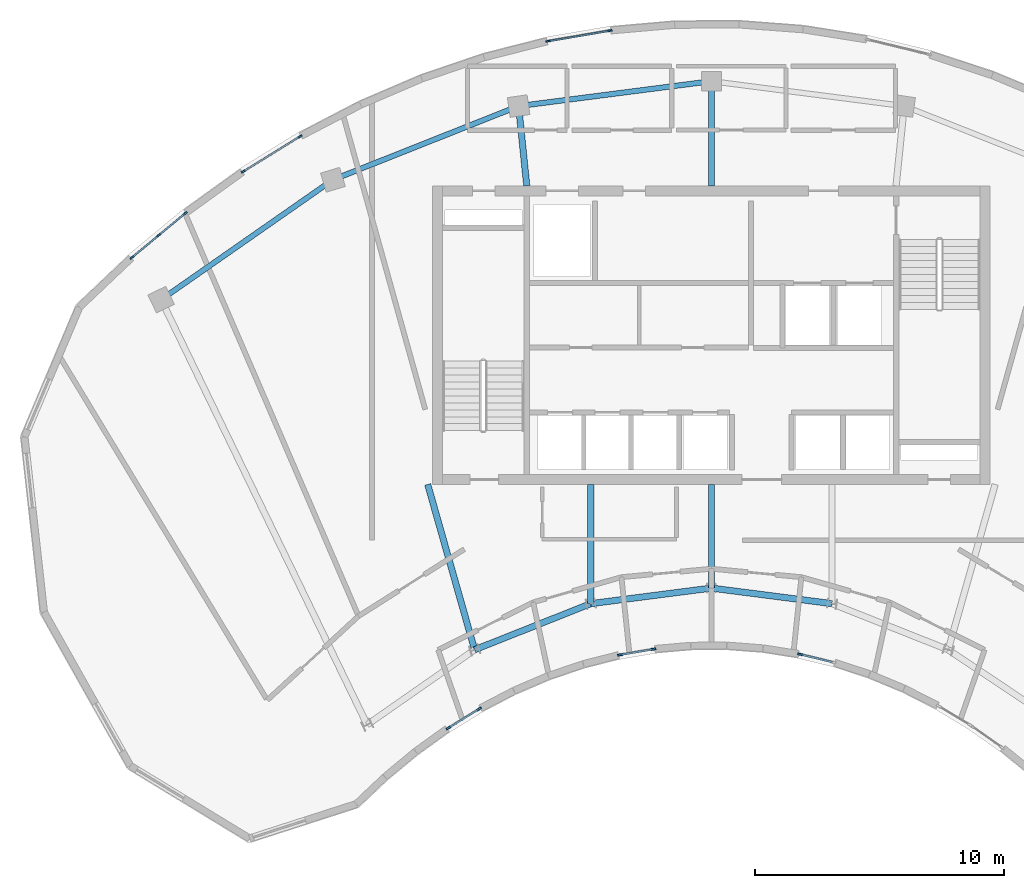
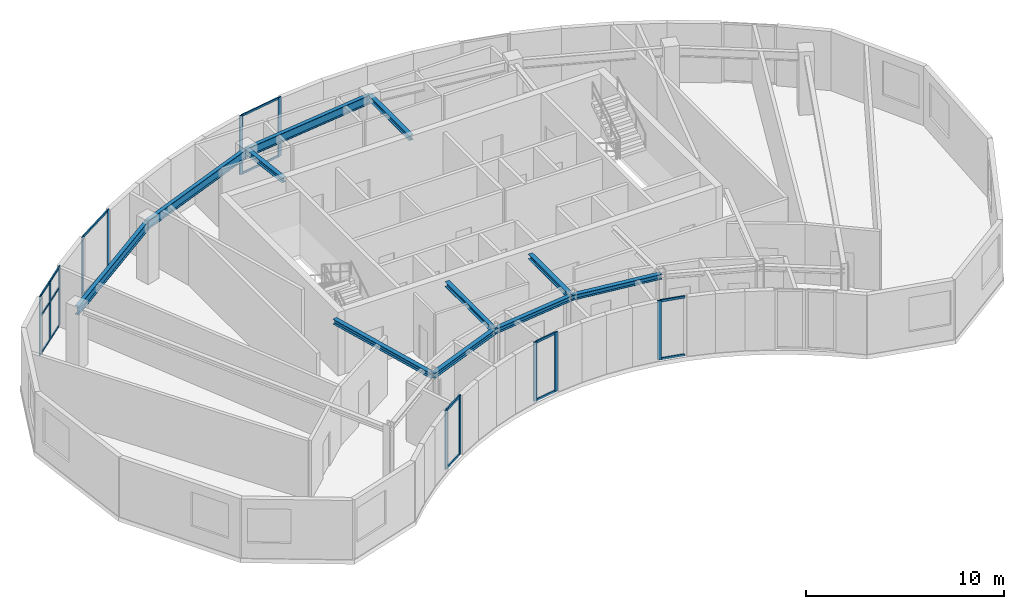
# One storey, part 2 of 9: 28 members, 11 beams, 6 elements without a shape of their own.
"""IFC4 building model written with IfcOpenShell, lengths in metres."""

from ifc_helpers import new_model, si_unit, direction, frame, origin, origin_2d, place, context, subcontext, project, spatial, rectangle, i_section, extrude, source, transform, mapped, material, layer, layer_set, material_profile, profile_set, type_object, element, aggregate, save


model = new_model("IFC4")

# Units and contexts
model_context = context("Model", 3, precision=1e-05, world=origin(), true_north=direction((0.0, 1.0)))
body_context = subcontext(model_context, "Body", "Model", "MODEL_VIEW")
ifc_project = project(units=[si_unit("LENGTHUNIT", "METRE"), si_unit("AREAUNIT", "SQUARE_METRE"), si_unit("VOLUMEUNIT", "CUBIC_METRE"), si_unit("PLANEANGLEUNIT", "RADIAN"), si_unit("MASSUNIT", "GRAM", prefix="KILO")], contexts=[model_context])

# Site, building, storey
site_placement = place(None, origin())
site = spatial("IfcSite", under=ifc_project, at=site_placement, CompositionType="ELEMENT")
building_placement = place(site_placement, origin())
building = spatial("IfcBuilding", under=site, at=building_placement, Name="Breltana Convention Tower", CompositionType="ELEMENT")
storey_placement = place(building_placement, frame((0.0, 0.0, 283.5)))
storey = spatial("IfcBuildingStorey", under=building, at=storey_placement, Name="L69", CompositionType="ELEMENT", Elevation=283.5)

# Beams
ifc_material_1 = material(Name="Steel ASTM A992 Grade 50", Category="steel")
ifc_material_profile_1 = material_profile(ifc_material_1, i_section(OverallWidth=0.214111328125, OverallDepth=0.549072265625, WebThickness=0.0146484375, FlangeThickness=0.023681640625, at=origin_2d()), Name="W21X93")
ifc_profile_set_1 = profile_set([ifc_material_profile_1], Name="Steel ASTM A992 Grade 50")
beam_type_1 = type_object("IfcBeamType", Name="BM-SP-W21X93", PredefinedType="SPANDREL", material=ifc_profile_set_1)
shared_shape_1 = source(origin(), body_context, "Body", "SweptSolid", [
    extrude(i_section(OverallWidth=0.214111328125, OverallDepth=0.549072265625, WebThickness=0.0146484375, FlangeThickness=0.023681640625, at=origin_2d()), origin(), (0.0, 0.0, 1.0), 8.4169921875),
])
beam_1_placement = place(storey_placement, frame((25.8876953125, 67.626953125, 3.365478515625), z_axis=(0.820173800102, 0.572114444519, 0.0), x_axis=(-0.572114444519, 0.820173800102, 0.0)))
element("IfcBeam", 1, at=beam_1_placement, inside=storey, type_object=beam_type_1, Name="L69 Outer Spandrel Beam 03", PredefinedType="SPANDREL", context=body_context, shape_type="MappedRepresentation", body=[
    mapped(shared_shape_1, transform((0.0, 0.0, 0.0), scale=1.0)),
])
shared_shape_2 = source(origin(), body_context, "Body", "SweptSolid", [
    extrude(i_section(OverallWidth=0.214111328125, OverallDepth=0.549072265625, WebThickness=0.0146484375, FlangeThickness=0.023681640625, at=origin_2d()), origin(), (0.0, 0.0, 1.0), 8.028564453125),
])
beam_2_placement = place(storey_placement, frame((32.791015625, 72.4423828125, 3.365478515625), z_axis=(0.929459100394, 0.368925169507, 0.0), x_axis=(-0.368925169507, 0.929459100394, 0.0)))
element("IfcBeam", 2, at=beam_2_placement, inside=storey, type_object=beam_type_1, Name="L69 Outer Spandrel Beam 04", PredefinedType="SPANDREL", context=body_context, shape_type="MappedRepresentation", body=[
    mapped(shared_shape_2, transform((0.0, 0.0, 0.0), scale=1.0)),
])
shared_shape_3 = source(origin(), body_context, "Body", "SweptSolid", [
    extrude(i_section(OverallWidth=0.214111328125, OverallDepth=0.549072265625, WebThickness=0.0146484375, FlangeThickness=0.023681640625, at=origin_2d()), origin(), (0.0, 0.0, 1.0), 7.81103515625),
])
beam_3_placement = place(storey_placement, frame((40.253173828125, 75.404296875, 3.365478515625), z_axis=(0.991775179127, 0.127992164083, 0.0), x_axis=(-0.127992164083, 0.991775179127, 0.0)))
element("IfcBeam", 3, at=beam_3_placement, inside=storey, type_object=beam_type_1, Name="L69 Outer Spandrel Beam 05", PredefinedType="SPANDREL", context=body_context, shape_type="MappedRepresentation", body=[
    mapped(shared_shape_3, transform((0.0, 0.0, 0.0), scale=1.0)),
])
ifc_material_profile_2 = material_profile(ifc_material_1, i_section(OverallWidth=0.25390625, OverallDepth=0.305908203125, WebThickness=0.0087890625, FlangeThickness=0.0146484375, at=origin_2d()), Name="W12X53")
ifc_profile_set_2 = profile_set([ifc_material_profile_2], Name="Steel ASTM A992 Grade 50")
beam_type_2 = type_object("IfcBeamType", Name="BM-CN-W12X53", PredefinedType="BEAM", material=ifc_profile_set_2)
shared_shape_4 = source(origin(), body_context, "Body", "SweptSolid", [
    extrude(i_section(OverallWidth=0.25390625, OverallDepth=0.305908203125, WebThickness=0.0087890625, FlangeThickness=0.0146484375, at=origin_2d()), origin(), (0.0, 0.0, 1.0), 6.904541015625),
])
beam_4_placement = place(storey_placement, frame((36.60009765625, 60.199951171875, 3.487060546875), z_axis=(0.273006781054, -0.962012108811, 0.0), x_axis=(0.962012108811, 0.273006781054, 0.0)))
element("IfcBeam", 4, at=beam_4_placement, inside=storey, type_object=beam_type_2, Name="L69 South Core Tie Girder R04", PredefinedType="BEAM", context=body_context, shape_type="MappedRepresentation", body=[
    mapped(shared_shape_4, transform((0.0, 0.0, 0.0), scale=1.0)),
])
shared_shape_5 = source(origin(), body_context, "Body", "SweptSolid", [
    extrude(i_section(OverallWidth=0.25390625, OverallDepth=0.305908203125, WebThickness=0.0087890625, FlangeThickness=0.0146484375, at=origin_2d()), origin(), (0.0, 0.0, 1.0), 4.789306640625),
])
beam_5_placement = place(storey_placement, frame((43.153564453125, 60.199951171875, 3.487060546875), z_axis=(0.0, -1.0, 0.0), x_axis=(1.0, 0.0, 0.0)))
element("IfcBeam", 5, at=beam_5_placement, inside=storey, type_object=beam_type_2, Name="L69 South Core Tie Girder R05", PredefinedType="BEAM", context=body_context, shape_type="MappedRepresentation", body=[
    mapped(shared_shape_5, transform((0.0, 0.0, 0.0), scale=1.0)),
])
shared_shape_6 = source(origin(), body_context, "Body", "SweptSolid", [
    extrude(i_section(OverallWidth=0.25390625, OverallDepth=0.305908203125, WebThickness=0.0087890625, FlangeThickness=0.0146484375, at=origin_2d()), origin(), (0.0, 0.0, 1.0), 3.220947265625),
])
beam_6_placement = place(storey_placement, frame((40.580078125, 72.199951171875, 3.487060546875), z_axis=(-0.101492254858, 0.994836329355, 0.0), x_axis=(-0.994836329355, -0.101492254858, 0.0)))
element("IfcBeam", 6, at=beam_6_placement, inside=storey, type_object=beam_type_2, Name="L69 North Core Radial Girder R05", PredefinedType="BEAM", context=body_context, shape_type="MappedRepresentation", body=[
    mapped(shared_shape_6, transform((0.0, 0.0, 0.0), scale=1.0)),
])
shared_shape_7 = source(origin(), body_context, "Body", "SweptSolid", [
    extrude(i_section(OverallWidth=0.25390625, OverallDepth=0.305908203125, WebThickness=0.0087890625, FlangeThickness=0.0146484375, at=origin_2d()), origin(), (0.0, 0.0, 1.0), 4.1640625),
])
beam_7_placement = place(storey_placement, frame((48.0, 60.199951171875, 3.487060546875), z_axis=(0.0, -1.0, 0.0), x_axis=(1.0, 0.0, 0.0)))
element("IfcBeam", 7, at=beam_7_placement, inside=storey, type_object=beam_type_2, Name="L69 South Core Tie Girder R06", PredefinedType="BEAM", context=body_context, shape_type="MappedRepresentation", body=[
    mapped(shared_shape_7, transform((0.0, 0.0, 0.0), scale=1.0)),
])
shared_shape_8 = source(origin(), body_context, "Body", "SweptSolid", [
    extrude(i_section(OverallWidth=0.25390625, OverallDepth=0.305908203125, WebThickness=0.0087890625, FlangeThickness=0.0146484375, at=origin_2d()), origin(), (0.0, 0.0, 1.0), 4.2041015625),
])
beam_8_placement = place(storey_placement, frame((48.0, 72.199951171875, 3.487060546875), z_axis=(0.0, 1.0, 0.0), x_axis=(-1.0, 0.0, 0.0)))
element("IfcBeam", 8, at=beam_8_placement, inside=storey, type_object=beam_type_2, Name="L69 North Core Radial Girder R06", PredefinedType="BEAM", context=body_context, shape_type="MappedRepresentation", body=[
    mapped(shared_shape_8, transform((0.0, 0.0, 0.0), scale=1.0)),
])
shared_shape_9 = source(origin(), body_context, "Body", "SweptSolid", [
    extrude(i_section(OverallWidth=0.25390625, OverallDepth=0.305908203125, WebThickness=0.0087890625, FlangeThickness=0.0146484375, at=origin_2d()), origin(), (0.0, 0.0, 1.0), 5.022705078125),
])
beam_9_placement = place(storey_placement, frame((38.485107421875, 53.5576171875, 3.487060546875), z_axis=(0.929458966248, 0.368925507469, 0.0), x_axis=(-0.368925507469, 0.929458966248, 0.0)))
element("IfcBeam", 9, at=beam_9_placement, inside=storey, type_object=beam_type_2, Name="L69 Inner Ring Beam 04", PredefinedType="BEAM", context=body_context, shape_type="MappedRepresentation", body=[
    mapped(shared_shape_9, transform((0.0, 0.0, 0.0), scale=1.0)),
])
shared_shape_10 = source(origin(), body_context, "Body", "SweptSolid", [
    extrude(i_section(OverallWidth=0.25390625, OverallDepth=0.305908203125, WebThickness=0.0087890625, FlangeThickness=0.0146484375, at=origin_2d()), origin(), (0.0, 0.0, 1.0), 4.88671875),
])
for number, where, z_axis, x_axis, name in (
    (10, (43.153564453125, 55.41064453125, 3.487060546875), (0.991780525565, 0.127950729231, 0.0), (-0.127950729231, 0.991780525565, 0.0), "L69 Inner Ring Beam 05"),
    (11, (48.0, 56.035888671875, 3.487060546875), (0.991780525565, -0.127950729231, 0.0), (0.127950729231, 0.991780525565, 0.0), "L69 Inner Ring Beam 06"),
):
    element("IfcBeam", number, at=place(storey_placement, frame(where, z_axis=z_axis, x_axis=x_axis)), inside=storey, type_object=beam_type_2, Name=name, PredefinedType="BEAM", context=body_context, shape_type="MappedRepresentation", body=[
        mapped(shared_shape_10, transform((0.0, 0.0, 0.0), scale=1.0)),
    ])

# Curtain wall, member
ifc_material_2 = material(Name="Aluminium Anodised Bronze Frame", Category="aluminium")
ifc_layer_1 = layer(ifc_material_2, 0.18994140625, Name="Aluminium Anodised Bronze Frame")
ifc_layer_set_1 = layer_set([ifc_layer_1], Name="Aluminium Anodised Bronze Frame")
curtain_wall_type_1 = type_object("IfcCurtainWallType", Name="CW-SYS-1", PredefinedType="NOTDEFINED", material=ifc_layer_set_1)
curtain_wall_1_placement = place(storey_placement, origin())
curtain_wall_1 = element("IfcCurtainWall", 12, at=curtain_wall_1_placement, inside=storey, type_object=curtain_wall_type_1, Name="L69 inner south-court glazing 3", PredefinedType="NOTDEFINED")
ifc_material_3 = material(Name="Aluminium Anodised Bronze", Category="aluminium")
ifc_material_profile_3 = material_profile(ifc_material_3, rectangle(XDim=0.080078125, YDim=0.199951171875, at=origin_2d()), Name="CWM-80X200")
ifc_profile_set_3 = profile_set([ifc_material_profile_3], Name="Aluminium Anodised Bronze")
member_type_1 = type_object("IfcMemberType", Name="CWM-200", PredefinedType="MULLION", material=ifc_profile_set_3)
shared_shape_11 = source(origin(), body_context, "Body", "SweptSolid", [
    extrude(rectangle(XDim=0.080078125, YDim=0.199951171875, at=origin_2d()), origin(), (0.0, 0.0, 1.0), 3.639892578125),
])
member_1_placement = place(storey_placement, frame((51.562255859375, 53.3759765625, 0.0), z_axis=(0.0, 0.0, 1.0), x_axis=(-0.235517485062, -0.97187011181, 0.0)))
member_1 = element("IfcMember", 13, at=member_1_placement, type_object=member_type_1, Name="CW-01 mullion 2", PredefinedType="MULLION", context=body_context, shape_type="MappedRepresentation", body=[
    mapped(shared_shape_11, transform((0.0, 0.0, 0.0), scale=1.0)),
])

# Curtain wall, members
curtain_wall_2_placement = place(storey_placement, origin())
curtain_wall_2 = element("IfcCurtainWall", 14, at=curtain_wall_2_placement, inside=storey, type_object=curtain_wall_type_1, Name="L69 inner south-court glazing 4", PredefinedType="NOTDEFINED")
member_2_placement = place(storey_placement, frame((45.673095703125, 53.582275390625, 0.0), z_axis=(0.0, 0.0, 1.0), x_axis=(0.168027922521, -0.985782236223, 0.0)))
member_2 = element("IfcMember", 15, at=member_2_placement, type_object=member_type_1, Name="CW-01 mullion 1", PredefinedType="MULLION", context=body_context, shape_type="MappedRepresentation", body=[
    mapped(shared_shape_11, transform((0.0, 0.0, 0.0), scale=1.0)),
])
member_3_placement = place(storey_placement, frame((44.3251953125, 53.3525390625, 0.0), z_axis=(0.0, 0.0, 1.0), x_axis=(0.168027922521, -0.985782236223, 0.0)))
member_3 = element("IfcMember", 16, at=member_3_placement, type_object=member_type_1, Name="CW-01 mullion 2", PredefinedType="MULLION", context=body_context, shape_type="MappedRepresentation", body=[
    mapped(shared_shape_11, transform((0.0, 0.0, 0.0), scale=1.0)),
])

curtain_wall_3_placement = place(storey_placement, origin())
curtain_wall_3 = element("IfcCurtainWall", 17, at=curtain_wall_3_placement, inside=storey, type_object=curtain_wall_type_1, Name="L69 inner south-court glazing 5", PredefinedType="NOTDEFINED")
member_4_placement = place(storey_placement, frame((38.669677734375, 51.180419921875, 0.0), z_axis=(0.0, 0.0, 1.0), x_axis=(0.525571911271, -0.850749179302, 0.0)))
member_4 = element("IfcMember", 18, at=member_4_placement, type_object=member_type_1, Name="CW-01 mullion 1", PredefinedType="MULLION", context=body_context, shape_type="MappedRepresentation", body=[
    mapped(shared_shape_11, transform((0.0, 0.0, 0.0), scale=1.0)),
])
member_5_placement = place(storey_placement, frame((37.431396484375, 50.41552734375, 0.0), z_axis=(0.0, 0.0, 1.0), x_axis=(0.525571911271, -0.850749179302, 0.0)))
member_5 = element("IfcMember", 19, at=member_5_placement, type_object=member_type_1, Name="CW-01 mullion 2", PredefinedType="MULLION", context=body_context, shape_type="MappedRepresentation", body=[
    mapped(shared_shape_11, transform((0.0, 0.0, 0.0), scale=1.0)),
])

ifc_layer_2 = layer(ifc_material_2, 0.22998046875, Name="Aluminium Anodised Bronze Frame")
ifc_layer_set_2 = layer_set([ifc_layer_2], Name="Aluminium Anodised Bronze Frame")
curtain_wall_type_2 = type_object("IfcCurtainWallType", Name="CW-SYS-5", PredefinedType="NOTDEFINED", material=ifc_layer_set_2)
curtain_wall_4_placement = place(storey_placement, origin())
curtain_wall_4 = element("IfcCurtainWall", 20, at=curtain_wall_4_placement, inside=storey, type_object=curtain_wall_type_2, Name="L69 outer double-skin inner glazing 1", PredefinedType="NOTDEFINED")
ifc_material_profile_4 = material_profile(ifc_material_3, rectangle(XDim=0.070068359375, YDim=0.175048828125, at=origin_2d()), Name="CWM-70X175")
ifc_profile_set_4 = profile_set([ifc_material_profile_4], Name="Aluminium Anodised Bronze")
member_type_2 = type_object("IfcMemberType", Name="CWM-175", PredefinedType="MULLION", material=ifc_profile_set_4)
shared_shape_12 = source(origin(), body_context, "Body", "SweptSolid", [
    extrude(rectangle(XDim=0.070068359375, YDim=0.175048828125, at=origin_2d()), origin(), (0.0, 0.0, 1.0), 3.639892578125),
])
member_6_placement = place(storey_placement, frame((24.716796875, 69.321533203125, 0.0), z_axis=(0.0, 0.0, 1.0), x_axis=(-0.638320160979, 0.76977098678, 0.0)))
member_6 = element("IfcMember", 21, at=member_6_placement, type_object=member_type_2, Name="CW-05 mullion 1", PredefinedType="MULLION", context=body_context, shape_type="MappedRepresentation", body=[
    mapped(shared_shape_12, transform((0.0, 0.0, 0.0), scale=1.0)),
])
member_7_placement = place(storey_placement, frame((25.78759765625, 70.209228515625, 0.0), z_axis=(0.0, 0.0, 1.0), x_axis=(-0.638320160979, 0.76977098678, 0.0)))
member_7 = element("IfcMember", 22, at=member_7_placement, type_object=member_type_2, Name="CW-05 mullion 2", PredefinedType="MULLION", context=body_context, shape_type="MappedRepresentation", body=[
    mapped(shared_shape_12, transform((0.0, 0.0, 0.0), scale=1.0)),
])
member_8_placement = place(storey_placement, frame((26.858154296875, 71.09716796875, 0.0), z_axis=(0.0, 0.0, 1.0), x_axis=(-0.638320160979, 0.76977098678, 0.0)))
member_8 = element("IfcMember", 23, at=member_8_placement, type_object=member_type_2, Name="CW-05 mullion 3", PredefinedType="MULLION", context=body_context, shape_type="MappedRepresentation", body=[
    mapped(shared_shape_12, transform((0.0, 0.0, 0.0), scale=1.0)),
])

curtain_wall_5_placement = place(storey_placement, origin())
curtain_wall_5 = element("IfcCurtainWall", 24, at=curtain_wall_5_placement, inside=storey, type_object=curtain_wall_type_2, Name="L69 outer double-skin inner glazing 2", PredefinedType="NOTDEFINED")
member_9_placement = place(storey_placement, frame((29.188720703125, 72.775146484375, 0.0), z_axis=(0.0, 0.0, 1.0), x_axis=(-0.525540797325, 0.850768399946, 0.0)))
member_9 = element("IfcMember", 25, at=member_9_placement, type_object=member_type_2, Name="CW-05 mullion 1", PredefinedType="MULLION", context=body_context, shape_type="MappedRepresentation", body=[
    mapped(shared_shape_12, transform((0.0, 0.0, 0.0), scale=1.0)),
])
member_10_placement = place(storey_placement, frame((31.47265625, 74.18603515625, 0.0), z_axis=(0.0, 0.0, 1.0), x_axis=(-0.525540797325, 0.850768399946, 0.0)))
member_10 = element("IfcMember", 26, at=member_10_placement, type_object=member_type_2, Name="CW-05 mullion 2", PredefinedType="MULLION", context=body_context, shape_type="MappedRepresentation", body=[
    mapped(shared_shape_12, transform((0.0, 0.0, 0.0), scale=1.0)),
])

curtain_wall_6_placement = place(storey_placement, origin())
curtain_wall_6 = element("IfcCurtainWall", 27, at=curtain_wall_6_placement, inside=storey, type_object=curtain_wall_type_2, Name="L69 outer double-skin inner glazing 3", PredefinedType="NOTDEFINED")
member_11_placement = place(storey_placement, frame((41.431396484375, 78.012451171875, 0.0), z_axis=(0.0, 0.0, 1.0), x_axis=(-0.168016928095, 0.985784110175, 0.0)))
member_11 = element("IfcMember", 28, at=member_11_placement, type_object=member_type_2, Name="CW-05 mullion 1", PredefinedType="MULLION", context=body_context, shape_type="MappedRepresentation", body=[
    mapped(shared_shape_12, transform((0.0, 0.0, 0.0), scale=1.0)),
])
member_12_placement = place(storey_placement, frame((43.919677734375, 78.4365234375, 0.0), z_axis=(0.0, 0.0, 1.0), x_axis=(-0.168016928095, 0.985784110175, 0.0)))
member_12 = element("IfcMember", 29, at=member_12_placement, type_object=member_type_2, Name="CW-05 mullion 2", PredefinedType="MULLION", context=body_context, shape_type="MappedRepresentation", body=[
    mapped(shared_shape_12, transform((0.0, 0.0, 0.0), scale=1.0)),
])

# Member
ifc_material_profile_5 = material_profile(ifc_material_3, rectangle(XDim=0.080078125, YDim=0.139892578125, at=origin_2d()), Name="CWT-80X140")
ifc_profile_set_5 = profile_set([ifc_material_profile_5], Name="Aluminium Anodised Bronze")
member_type_3 = type_object("IfcMemberType", Name="CWT-140", PredefinedType="USERDEFINED", material=ifc_profile_set_5)
shared_shape_13 = source(origin(), body_context, "Body", "SweptSolid", [
    extrude(rectangle(XDim=0.080078125, YDim=0.139892578125, at=origin_2d()), origin(), (0.0, 0.0, 1.0), 1.296142578125),
])
member_13_placement = place(storey_placement, frame((52.86083984375, 53.06103515625, 0.0400390625), z_axis=(-0.97184618516, 0.235616197216, 0.0), x_axis=(-0.235616197216, -0.97184618516, 0.0)))
member_13 = element("IfcMember", 30, at=member_13_placement, type_object=member_type_3, Name="CW-01 transom 1.1", ObjectType="TRANSOM", PredefinedType="USERDEFINED", context=body_context, shape_type="MappedRepresentation", body=[
    mapped(shared_shape_13, transform((0.0, 0.0, 0.0), scale=1.0)),
])

member_14_placement = place(storey_placement, frame((52.86083984375, 53.06103515625, 3.60009765625), z_axis=(-0.97184618516, 0.235616197216, 0.0), x_axis=(-0.235616197216, -0.97184618516, 0.0)))
member_14 = element("IfcMember", 31, at=member_14_placement, type_object=member_type_3, Name="CW-01 transom 1.2", ObjectType="TRANSOM", PredefinedType="USERDEFINED", context=body_context, shape_type="MappedRepresentation", body=[
    mapped(shared_shape_13, transform((0.0, 0.0, 0.0), scale=1.0)),
])

aggregate(curtain_wall_1, [member_1, member_13, member_14])

shared_shape_14 = source(origin(), body_context, "Body", "SweptSolid", [
    extrude(rectangle(XDim=0.080078125, YDim=0.139892578125, at=origin_2d()), origin(), (0.0, 0.0, 1.0), 1.287353515625),
])
member_15_placement = place(storey_placement, frame((45.6337890625, 53.57568359375, 0.0400390625), z_axis=(-0.985782429966, -0.16802678587, 0.0), x_axis=(0.16802678587, -0.985782429966, 0.0)))
member_15 = element("IfcMember", 32, at=member_15_placement, type_object=member_type_3, Name="CW-01 transom 1.1", ObjectType="TRANSOM", PredefinedType="USERDEFINED", context=body_context, shape_type="MappedRepresentation", body=[
    mapped(shared_shape_14, transform((0.0, 0.0, 0.0), scale=1.0)),
])

member_16_placement = place(storey_placement, frame((45.6337890625, 53.57568359375, 3.60009765625), z_axis=(-0.985782429966, -0.16802678587, 0.0), x_axis=(0.16802678587, -0.985782429966, 0.0)))
member_16 = element("IfcMember", 33, at=member_16_placement, type_object=member_type_3, Name="CW-01 transom 1.2", ObjectType="TRANSOM", PredefinedType="USERDEFINED", context=body_context, shape_type="MappedRepresentation", body=[
    mapped(shared_shape_14, transform((0.0, 0.0, 0.0), scale=1.0)),
])

aggregate(curtain_wall_2, [member_2, member_3, member_15, member_16])

shared_shape_15 = source(origin(), body_context, "Body", "SweptSolid", [
    extrude(rectangle(XDim=0.080078125, YDim=0.139892578125, at=origin_2d()), origin(), (0.0, 0.0, 1.0), 1.37548828125),
])
member_17_placement = place(storey_placement, frame((38.6357421875, 51.159423828125, 0.0400390625), z_axis=(-0.850748978808, -0.525572235813, 0.0), x_axis=(0.525572235813, -0.850748978808, 0.0)))
member_17 = element("IfcMember", 34, at=member_17_placement, type_object=member_type_3, Name="CW-01 transom 1.1", ObjectType="TRANSOM", PredefinedType="USERDEFINED", context=body_context, shape_type="MappedRepresentation", body=[
    mapped(shared_shape_15, transform((0.0, 0.0, 0.0), scale=1.0)),
])

member_18_placement = place(storey_placement, frame((38.6357421875, 51.159423828125, 3.60009765625), z_axis=(-0.850748978808, -0.525572235813, 0.0), x_axis=(0.525572235813, -0.850748978808, 0.0)))
member_18 = element("IfcMember", 35, at=member_18_placement, type_object=member_type_3, Name="CW-01 transom 1.2", ObjectType="TRANSOM", PredefinedType="USERDEFINED", context=body_context, shape_type="MappedRepresentation", body=[
    mapped(shared_shape_15, transform((0.0, 0.0, 0.0), scale=1.0)),
])

aggregate(curtain_wall_3, [member_4, member_5, member_17, member_18])

ifc_material_profile_6 = material_profile(ifc_material_3, rectangle(XDim=0.070068359375, YDim=0.1201171875, at=origin_2d()), Name="CWT-70X120")
ifc_profile_set_6 = profile_set([ifc_material_profile_6], Name="Aluminium Anodised Bronze")
member_type_4 = type_object("IfcMemberType", Name="CWT-120", PredefinedType="USERDEFINED", material=ifc_profile_set_6)
shared_shape_16 = source(origin(), body_context, "Body", "SweptSolid", [
    extrude(rectangle(XDim=0.070068359375, YDim=0.1201171875, at=origin_2d()), origin(), (0.0, 0.0, 1.0), 2.454345703125),
])
member_19_placement = place(storey_placement, frame((41.4658203125, 78.018310546875, 0.034912109375), z_axis=(0.985785086136, 0.168011201865, 0.0), x_axis=(-0.168011201865, 0.985785086136, 0.0)))
member_19 = element("IfcMember", 36, at=member_19_placement, type_object=member_type_4, Name="CW-05 transom 1.1", ObjectType="TRANSOM", PredefinedType="USERDEFINED", context=body_context, shape_type="MappedRepresentation", body=[
    mapped(shared_shape_16, transform((0.0, 0.0, 0.0), scale=1.0)),
])

member_20_placement = place(storey_placement, frame((41.4658203125, 78.018310546875, 3.60498046875), z_axis=(0.985785086136, 0.168011201865, 0.0), x_axis=(-0.168011201865, 0.985785086136, 0.0)))
member_20 = element("IfcMember", 37, at=member_20_placement, type_object=member_type_4, Name="CW-05 transom 1.2", ObjectType="TRANSOM", PredefinedType="USERDEFINED", context=body_context, shape_type="MappedRepresentation", body=[
    mapped(shared_shape_16, transform((0.0, 0.0, 0.0), scale=1.0)),
])

aggregate(curtain_wall_6, [member_11, member_12, member_19, member_20])

shared_shape_17 = source(origin(), body_context, "Body", "SweptSolid", [
    extrude(rectangle(XDim=0.070068359375, YDim=0.1201171875, at=origin_2d()), origin(), (0.0, 0.0, 1.0), 1.321044921875),
])
member_21_placement = place(storey_placement, frame((24.74365234375, 69.34375, 0.034912109375), z_axis=(0.769749100727, 0.63834655316, 0.0), x_axis=(-0.63834655316, 0.769749100727, 0.0)))
member_21 = element("IfcMember", 38, at=member_21_placement, type_object=member_type_4, Name="CW-05 transom 1.1", ObjectType="TRANSOM", PredefinedType="USERDEFINED", context=body_context, shape_type="MappedRepresentation", body=[
    mapped(shared_shape_17, transform((0.0, 0.0, 0.0), scale=1.0)),
])

member_22_placement = place(storey_placement, frame((24.74365234375, 69.34375, 2.365966796875), z_axis=(0.769749100727, 0.63834655316, 0.0), x_axis=(-0.63834655316, 0.769749100727, 0.0)))
member_22 = element("IfcMember", 39, at=member_22_placement, type_object=member_type_4, Name="CW-05 transom 1.2", ObjectType="TRANSOM", PredefinedType="USERDEFINED", context=body_context, shape_type="MappedRepresentation", body=[
    mapped(shared_shape_17, transform((0.0, 0.0, 0.0), scale=1.0)),
])

member_23_placement = place(storey_placement, frame((24.74365234375, 69.34375, 3.60498046875), z_axis=(0.769749100727, 0.63834655316, 0.0), x_axis=(-0.63834655316, 0.769749100727, 0.0)))
member_23 = element("IfcMember", 40, at=member_23_placement, type_object=member_type_4, Name="CW-05 transom 1.3", ObjectType="TRANSOM", PredefinedType="USERDEFINED", context=body_context, shape_type="MappedRepresentation", body=[
    mapped(shared_shape_17, transform((0.0, 0.0, 0.0), scale=1.0)),
])

member_24_placement = place(storey_placement, frame((25.814453125, 70.231689453125, 0.034912109375), z_axis=(0.769749100727, 0.63834655316, 0.0), x_axis=(-0.63834655316, 0.769749100727, 0.0)))
member_24 = element("IfcMember", 41, at=member_24_placement, type_object=member_type_4, Name="CW-05 transom 2.1", ObjectType="TRANSOM", PredefinedType="USERDEFINED", context=body_context, shape_type="MappedRepresentation", body=[
    mapped(shared_shape_17, transform((0.0, 0.0, 0.0), scale=1.0)),
])

member_25_placement = place(storey_placement, frame((25.814453125, 70.231689453125, 2.365966796875), z_axis=(0.769749100727, 0.63834655316, 0.0), x_axis=(-0.63834655316, 0.769749100727, 0.0)))
member_25 = element("IfcMember", 42, at=member_25_placement, type_object=member_type_4, Name="CW-05 transom 2.2", ObjectType="TRANSOM", PredefinedType="USERDEFINED", context=body_context, shape_type="MappedRepresentation", body=[
    mapped(shared_shape_17, transform((0.0, 0.0, 0.0), scale=1.0)),
])

member_26_placement = place(storey_placement, frame((25.814453125, 70.231689453125, 3.60498046875), z_axis=(0.769749100727, 0.63834655316, 0.0), x_axis=(-0.63834655316, 0.769749100727, 0.0)))
member_26 = element("IfcMember", 43, at=member_26_placement, type_object=member_type_4, Name="CW-05 transom 2.3", ObjectType="TRANSOM", PredefinedType="USERDEFINED", context=body_context, shape_type="MappedRepresentation", body=[
    mapped(shared_shape_17, transform((0.0, 0.0, 0.0), scale=1.0)),
])

aggregate(curtain_wall_4, [member_6, member_7, member_8, member_21, member_22, member_23, member_24, member_25, member_26])

shared_shape_18 = source(origin(), body_context, "Body", "SweptSolid", [
    extrude(rectangle(XDim=0.070068359375, YDim=0.1201171875, at=origin_2d()), origin(), (0.0, 0.0, 1.0), 2.614501953125),
])
member_27_placement = place(storey_placement, frame((29.218505859375, 72.793701171875, 0.034912109375), z_axis=(0.850772210516, 0.525534628557, 0.0), x_axis=(-0.525534628557, 0.850772210516, 0.0)))
member_27 = element("IfcMember", 44, at=member_27_placement, type_object=member_type_4, Name="CW-05 transom 1.1", ObjectType="TRANSOM", PredefinedType="USERDEFINED", context=body_context, shape_type="MappedRepresentation", body=[
    mapped(shared_shape_18, transform((0.0, 0.0, 0.0), scale=1.0)),
])

member_28_placement = place(storey_placement, frame((29.218505859375, 72.793701171875, 3.60498046875), z_axis=(0.850772210516, 0.525534628557, 0.0), x_axis=(-0.525534628557, 0.850772210516, 0.0)))
member_28 = element("IfcMember", 45, at=member_28_placement, type_object=member_type_4, Name="CW-05 transom 1.2", ObjectType="TRANSOM", PredefinedType="USERDEFINED", context=body_context, shape_type="MappedRepresentation", body=[
    mapped(shared_shape_18, transform((0.0, 0.0, 0.0), scale=1.0)),
])

aggregate(curtain_wall_5, [member_9, member_10, member_27, member_28])

save(model, "model.ifc")
